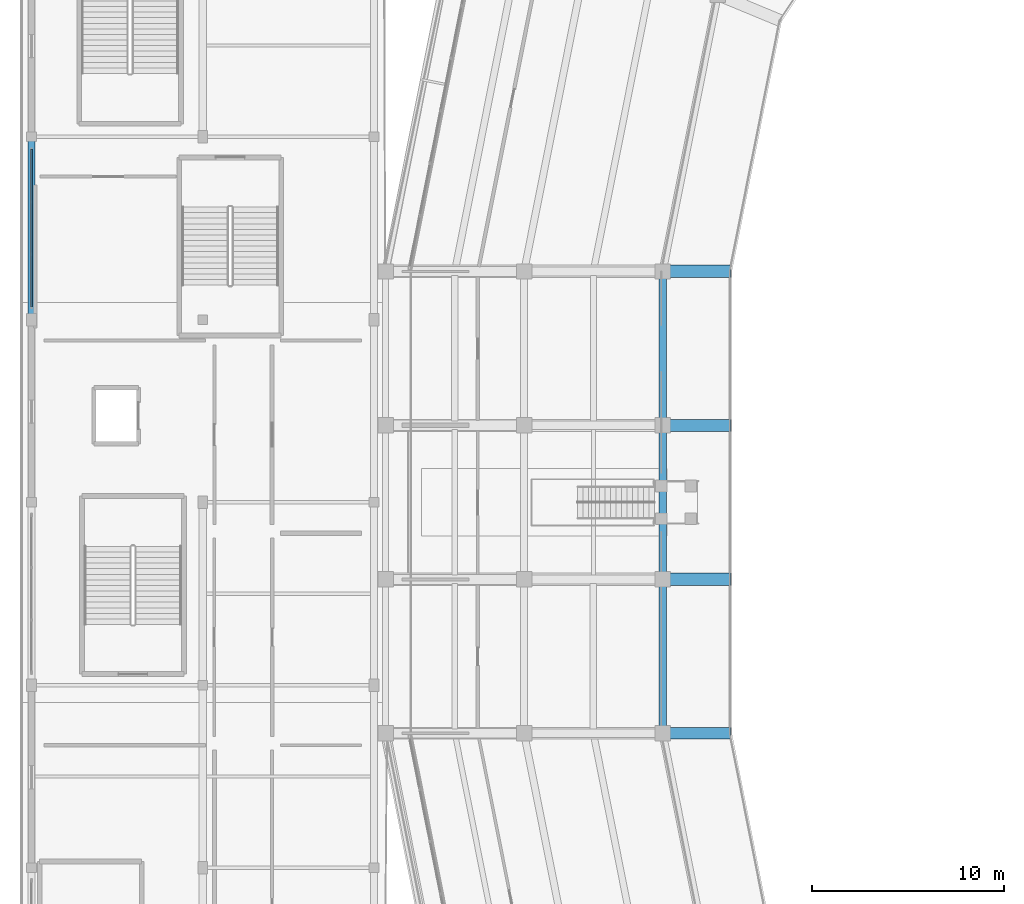
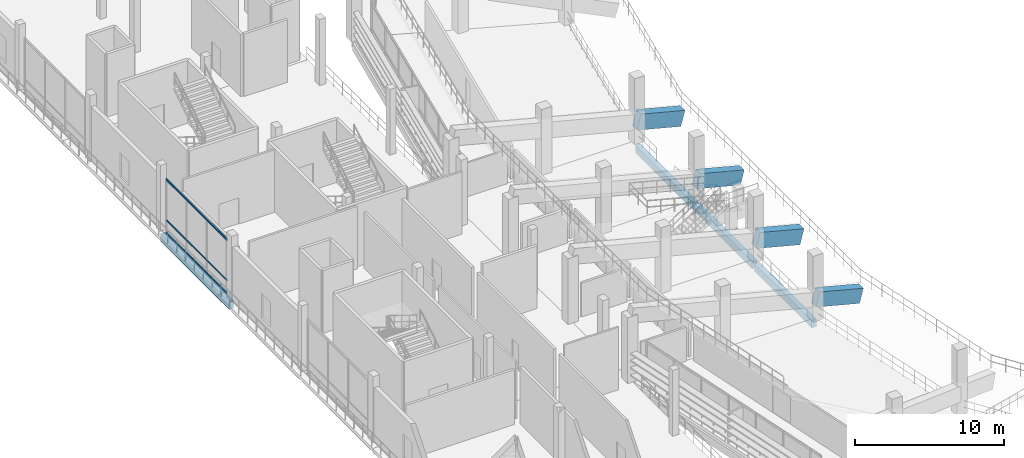
# One storey, part 21 of 96: 8 beams, 3 members, 1 element without a shape of its own.
"""IFC4 building model written with IfcOpenShell, lengths in metres."""

from ifc_helpers import new_model, si_unit, direction, frame, origin, origin_2d, place, context, subcontext, project, spatial, rectangle, extrude, material, material_profile, profile_set, type_object, element, aggregate, save


model = new_model("IFC4")

# Units and contexts
model_context = context("Model", 3, precision=1e-05, world=origin(), true_north=direction((0.0, 1.0)))
body_context = subcontext(model_context, "Body", "Model", "MODEL_VIEW")
ifc_project = project(units=[si_unit("LENGTHUNIT", "METRE"), si_unit("AREAUNIT", "SQUARE_METRE"), si_unit("VOLUMEUNIT", "CUBIC_METRE"), si_unit("PLANEANGLEUNIT", "RADIAN"), si_unit("MASSUNIT", "GRAM", prefix="KILO")], contexts=[model_context])

# Site, building, storey
site_placement = place(None, origin())
site = spatial("IfcSite", under=ifc_project, at=site_placement, CompositionType="ELEMENT")
building_placement = place(site_placement, origin())
building = spatial("IfcBuilding", under=site, at=building_placement, Name="Candeia Ridge Stadium", CompositionType="ELEMENT")
storey_placement = place(building_placement, frame((0.0, 0.0, 21.60009765625)))
storey = spatial("IfcBuildingStorey", under=building, at=storey_placement, Name="L04", CompositionType="ELEMENT", Elevation=21.60009765625)

# Curtain wall, members
ifc_material_1 = material(Name="Aluminium Anodized Warm Bronze", Category="aluminium")
curtain_wall_type = type_object("IfcCurtainWallType", Name="West Pavilion Hospitality Curtain Wall", PredefinedType="NOTDEFINED", material=ifc_material_1)
curtain_wall_placement = place(storey_placement, origin())
curtain_wall = element("IfcCurtainWall", 1, at=curtain_wall_placement, inside=storey, type_object=curtain_wall_type, Name="Unitised curtain wall CW-WNG-L04-096", PredefinedType="NOTDEFINED")
ifc_material_profile_1 = material_profile(ifc_material_1, rectangle(XDim=0.074951171875, YDim=0.110107421875, at=origin_2d()), Name="CWT-75x110", Category="aluminium")
ifc_profile_set_1 = profile_set([ifc_material_profile_1], Name="Aluminium Anodized Warm Bronze")
member_type_1 = type_object("IfcMemberType", Name="Curtain Wall Secondary Transom 75x110", PredefinedType="USERDEFINED", material=ifc_profile_set_1)
member_1_placement = place(storey_placement, frame((0.60009765625, 93.159912109375, 1.099853515625), z_axis=(0.0, 1.0, 0.0), x_axis=(-1.0, 0.0, 0.0)))
member_1 = element("IfcMember", 2, at=member_1_placement, type_object=member_type_1, Name="Curtain wall transom CW-WNG-L04-096-T1", ObjectType="TRANSOM", PredefinedType="USERDEFINED", context=body_context, shape_type="SweptSolid", body=[
    extrude(rectangle(XDim=0.074951171875, YDim=0.110107421875, at=origin_2d()), origin(), (0.0, 0.0, 1.0), 8.18017578125),
])
ifc_material_profile_2 = material_profile(ifc_material_1, rectangle(XDim=0.090087890625, YDim=0.139892578125, at=origin_2d()), Name="CWT-90x140", Category="aluminium")
ifc_profile_set_2 = profile_set([ifc_material_profile_2], Name="Aluminium Anodized Warm Bronze")
member_type_2 = type_object("IfcMemberType", Name="Curtain Wall Transom 90x140", PredefinedType="USERDEFINED", material=ifc_profile_set_2)
member_2_placement = place(storey_placement, frame((0.60009765625, 93.159912109375, 0.06982421875), z_axis=(0.0, 1.0, 0.0), x_axis=(-1.0, 0.0, 0.0)))
member_2 = element("IfcMember", 3, at=member_2_placement, type_object=member_type_2, Name="Curtain wall transom CW-WNG-L04-096-T0", ObjectType="TRANSOM", PredefinedType="USERDEFINED", context=body_context, shape_type="SweptSolid", body=[
    extrude(rectangle(XDim=0.090087890625, YDim=0.139892578125, at=origin_2d()), origin(), (0.0, 0.0, 1.0), 8.18017578125),
])
member_3_placement = place(storey_placement, frame((0.60009765625, 93.159912109375, 4.414794921875), z_axis=(0.0, 1.0, 0.0), x_axis=(-1.0, 0.0, 0.0)))
member_3 = element("IfcMember", 4, at=member_3_placement, type_object=member_type_2, Name="Curtain wall transom CW-WNG-L04-096-T2", ObjectType="TRANSOM", PredefinedType="USERDEFINED", context=body_context, shape_type="SweptSolid", body=[
    extrude(rectangle(XDim=0.090087890625, YDim=0.139892578125, at=origin_2d()), origin(), (0.0, 0.0, 1.0), 8.18017578125),
])
aggregate(curtain_wall, [member_2, member_1, member_3])

# Beams
ifc_material_2 = material(Name="Concrete C40/50", Category="concrete")
ifc_material_profile_3 = material_profile(ifc_material_2, rectangle(XDim=0.3798828125, YDim=0.6201171875, at=origin_2d()), Name="RC380x620", Category="concrete")
ifc_profile_set_3 = profile_set([ifc_material_profile_3], Name="Concrete C40/50")
beam_type_1 = type_object("IfcBeamType", Name="Frame Girder RC380x620", PredefinedType="BEAM", material=ifc_profile_set_3)
for number, where, z_axis, x_axis, name in (
    (5, (33.39990234375, 94.840087890625, -0.570068359375), (0.0, -1.0, 0.0), (1.0, 0.0, 0.0), "Bowl inner ring girder BM-L04-0843"),
    (6, (33.39990234375, 86.840087890625, -0.570068359375), (0.0, -1.0, 0.0), (1.0, 0.0, 0.0), "Bowl inner ring girder BM-L04-0848"),
    (7, (33.39990234375, 78.840087890625, -0.570068359375), (0.0, -1.0, 0.0), (1.0, 0.0, 0.0), "Bowl inner ring girder BM-L04-0853"),
):
    element("IfcBeam", number, at=place(storey_placement, frame(where, z_axis=z_axis, x_axis=x_axis)), inside=storey, type_object=beam_type_1, Name=name, PredefinedType="BEAM", context=body_context, shape_type="SweptSolid", body=[
        extrude(rectangle(XDim=0.3798828125, YDim=0.6201171875, at=origin_2d()), origin(), (0.0, 0.0, 1.0), 7.68017578125),
    ])
ifc_material_profile_4 = material_profile(ifc_material_2, rectangle(XDim=0.35009765625, YDim=0.64990234375, at=origin_2d()), Name="RC350x650", Category="concrete")
ifc_profile_set_4 = profile_set([ifc_material_profile_4], Name="Concrete C40/50")
beam_type_2 = type_object("IfcBeamType", Name="Spandrel Beam RC350x650", PredefinedType="SPANDREL", material=ifc_profile_set_4)
beam_placement = place(storey_placement, frame((0.60009765625, 92.659912109375, -0.585205078125), z_axis=(0.0, 1.0, 0.0), x_axis=(-1.0, 0.0, 0.0)))
element("IfcBeam", 8, at=beam_placement, inside=storey, type_object=beam_type_2, Name="Structural girder BM-L04-1281", PredefinedType="SPANDREL", context=body_context, shape_type="SweptSolid", body=[
    extrude(rectangle(XDim=0.35009765625, YDim=0.64990234375, at=origin_2d()), origin(), (0.0, 0.0, 1.0), 9.18017578125),
])
ifc_material_3 = material(Name="Concrete C45/55", Category="concrete")
ifc_material_profile_5 = material_profile(ifc_material_3, rectangle(XDim=0.6201171875, YDim=1.179931640625, at=origin_2d()), Name="RC620x1180", Category="concrete")
ifc_profile_set_5 = profile_set([ifc_material_profile_5], Name="Concrete C45/55")
beam_type_3 = type_object("IfcBeamType", Name="Stand Raker Beam RC620x1180", PredefinedType="USERDEFINED", material=ifc_profile_set_5)
for number, where, z_axis, x_axis, name in (
    (9, (36.800048828125, 87.0, 0.78759765625), (-0.968076277783, 0.0, 0.250655780691), (0.0, -1.0, 0.0), "Stand T3 cantilever raker beam 13"),
    (10, (36.800048828125, 71.0, 0.78759765625), (-0.968076277783, 0.0, 0.250655780691), (0.0, -1.0, 0.0), "Stand T3 cantilever raker beam 15"),
):
    element("IfcBeam", number, at=place(storey_placement, frame(where, z_axis=z_axis, x_axis=x_axis)), inside=storey, type_object=beam_type_3, Name=name, ObjectType="RAKER", PredefinedType="USERDEFINED", context=body_context, shape_type="SweptSolid", body=[
        extrude(rectangle(XDim=0.6201171875, YDim=1.179931640625, at=origin_2d()), origin(), (0.0, 0.0, 1.0), 3.51220703125),
    ])
ifc_material_profile_6 = material_profile(ifc_material_3, rectangle(XDim=0.64990234375, YDim=1.25, at=origin_2d()), Name="RC650x1250", Category="concrete")
ifc_profile_set_6 = profile_set([ifc_material_profile_6], Name="Concrete C45/55")
beam_type_4 = type_object("IfcBeamType", Name="Stand Raker Beam RC650x1250", PredefinedType="USERDEFINED", material=ifc_profile_set_6)
for number, where, z_axis, x_axis, name in (
    (11, (36.800048828125, 95.0, 0.78759765625), (-0.968076277783, 0.0, 0.250655780691), (0.0, -1.0, 0.0), "Stand T3 cantilever raker beam 12"),
    (12, (36.800048828125, 79.0, 0.78759765625), (-0.968076277783, 0.0, 0.250655780691), (0.0, -1.0, 0.0), "Stand T3 cantilever raker beam 14"),
):
    element("IfcBeam", number, at=place(storey_placement, frame(where, z_axis=z_axis, x_axis=x_axis)), inside=storey, type_object=beam_type_4, Name=name, ObjectType="RAKER", PredefinedType="USERDEFINED", context=body_context, shape_type="SweptSolid", body=[
        extrude(rectangle(XDim=0.64990234375, YDim=1.25, at=origin_2d()), origin(), (0.0, 0.0, 1.0), 3.51220703125),
    ])

save(model, "model.ifc")
